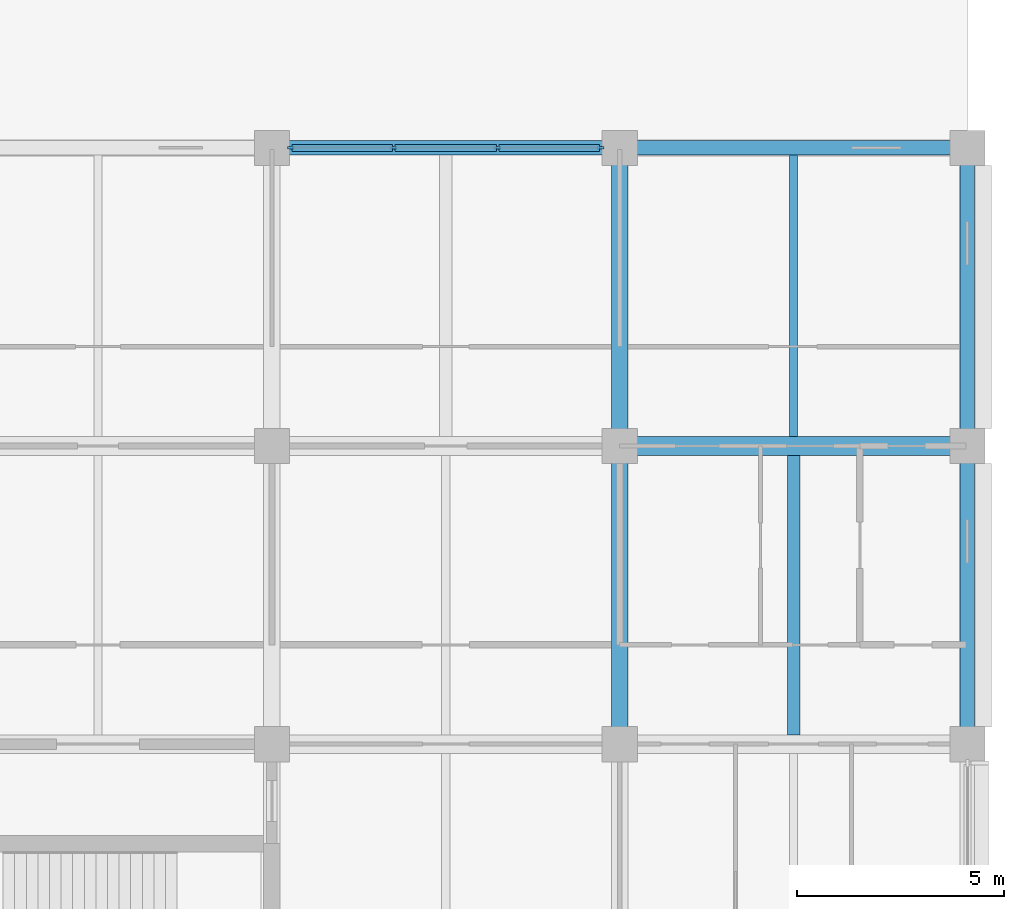
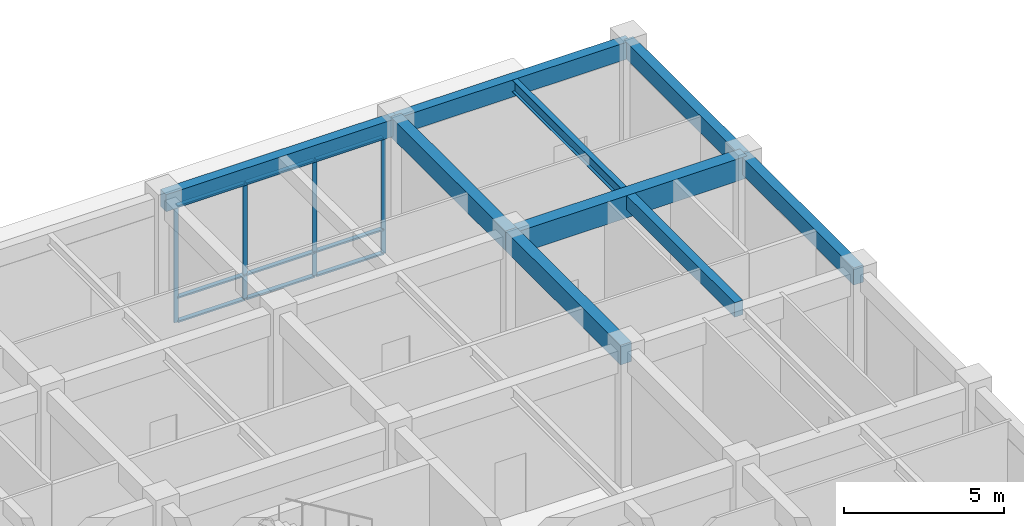
# One storey, part 32 of 73: 13 members, 9 beams, 1 element without a shape of its own.
"""IFC4 building model written with IfcOpenShell, lengths in metres."""

from ifc_helpers import new_model, si_unit, direction, frame, origin, origin_2d, place, context, subcontext, project, spatial, rectangle, i_section, extrude, material, layer, layer_set, material_profile, profile_set, type_object, element, aggregate, save


model = new_model("IFC4")

# Units and contexts
model_context = context("Model", 3, precision=1e-05, world=origin(), true_north=direction((0.0, 1.0)))
body_context = subcontext(model_context, "Body", "Model", "MODEL_VIEW")
ifc_project = project(units=[si_unit("LENGTHUNIT", "METRE"), si_unit("AREAUNIT", "SQUARE_METRE"), si_unit("VOLUMEUNIT", "CUBIC_METRE"), si_unit("PLANEANGLEUNIT", "RADIAN"), si_unit("MASSUNIT", "GRAM", prefix="KILO")], contexts=[model_context])

# Site, building, storey
site_placement = place(None, origin())
site = spatial("IfcSite", under=ifc_project, at=site_placement, CompositionType="ELEMENT")
building_placement = place(site_placement, origin())
building = spatial("IfcBuilding", under=site, at=building_placement, Name="Chengyuan Square Courthouse", CompositionType="ELEMENT")
storey_placement = place(building_placement, origin())
storey = spatial("IfcBuildingStorey", under=building, at=storey_placement, Name="L01", CompositionType="ELEMENT", Elevation=0.0)

# Beams
ifc_material_1 = material(Name="Concrete C40", Category="concrete")
ifc_material_profile_1 = material_profile(ifc_material_1, rectangle(XDim=0.449951171875, YDim=0.85009765625, at=origin_2d()), Name="RC-BM-450x850")
ifc_profile_set_1 = profile_set([ifc_material_profile_1], Name="Concrete C40")
beam_type_1 = type_object("IfcBeamType", Name="BM-01", PredefinedType="USERDEFINED", material=ifc_profile_set_1)
beam_1_placement = place(storey_placement, frame((159.60009765625, 100.800048828125, 4.695068359375), z_axis=(1.0, 0.0, 0.0), x_axis=(0.0, 1.0, 0.0)))
element("IfcBeam", 1, at=beam_1_placement, inside=storey, type_object=beam_type_1, Name="Girder BM-L01-1768", ObjectType="GIRDER", PredefinedType="USERDEFINED", context=body_context, shape_type="SweptSolid", body=[
    extrude(rectangle(XDim=0.449951171875, YDim=0.85009765625, at=origin_2d()), origin(), (0.0, 0.0, 1.0), 8.39990234375),
])
ifc_material_profile_2 = material_profile(ifc_material_1, rectangle(XDim=0.39990234375, YDim=0.75, at=origin_2d()), Name="RC-BM-400x750")
ifc_profile_set_2 = profile_set([ifc_material_profile_2], Name="Concrete C40")
beam_type_2 = type_object("IfcBeamType", Name="BM-02", PredefinedType="USERDEFINED", material=ifc_profile_set_2)
for number, where, z_axis, x_axis, name in (
    (2, (159.60009765625, 93.60009765625, 4.7451171875), (0.0, 1.0, 0.0), (-1.0, 0.0, 0.0), "Girder BM-L01-1940"),
    (3, (159.60009765625, 100.800048828125, 4.7451171875), (0.0, 1.0, 0.0), (-1.0, 0.0, 0.0), "Girder BM-L01-1941"),
):
    element("IfcBeam", number, at=place(storey_placement, frame(where, z_axis=z_axis, x_axis=x_axis)), inside=storey, type_object=beam_type_2, Name=name, ObjectType="GIRDER", PredefinedType="USERDEFINED", context=body_context, shape_type="SweptSolid", body=[
        extrude(rectangle(XDim=0.39990234375, YDim=0.75, at=origin_2d()), origin(), (0.0, 0.0, 1.0), 7.199951171875),
    ])
ifc_material_profile_3 = material_profile(ifc_material_1, rectangle(XDim=0.35009765625, YDim=0.64990234375, at=origin_2d()), Name="RC-BM-350x650")
ifc_profile_set_3 = profile_set([ifc_material_profile_3], Name="Concrete C40")
beam_type_3 = type_object("IfcBeamType", Name="BM-03", PredefinedType="SPANDREL", material=ifc_profile_set_3)
beam_2_placement = place(storey_placement, frame((151.199951171875, 108.0, 4.794921875), z_axis=(1.0, 0.0, 0.0), x_axis=(0.0, 1.0, 0.0)))
element("IfcBeam", 4, at=beam_2_placement, inside=storey, type_object=beam_type_3, Name="Girder BM-L01-1787", PredefinedType="SPANDREL", context=body_context, shape_type="SweptSolid", body=[
    extrude(rectangle(XDim=0.35009765625, YDim=0.64990234375, at=origin_2d()), origin(), (0.0, 0.0, 1.0), 8.400146484375),
])
beam_3_placement = place(storey_placement, frame((159.60009765625, 108.0, 4.794921875), z_axis=(1.0, 0.0, 0.0), x_axis=(0.0, 1.0, 0.0)))
element("IfcBeam", 5, at=beam_3_placement, inside=storey, type_object=beam_type_3, Name="Girder BM-L01-1788", PredefinedType="SPANDREL", context=body_context, shape_type="SweptSolid", body=[
    extrude(rectangle(XDim=0.35009765625, YDim=0.64990234375, at=origin_2d()), origin(), (0.0, 0.0, 1.0), 8.39990234375),
])
for number, where, z_axis, x_axis, name in (
    (6, (168.0, 93.60009765625, 4.794921875), (0.0, 1.0, 0.0), (-1.0, 0.0, 0.0), "Girder BM-L01-1955"),
    (7, (168.0, 100.800048828125, 4.794921875), (0.0, 1.0, 0.0), (-1.0, 0.0, 0.0), "Girder BM-L01-1956"),
):
    element("IfcBeam", number, at=place(storey_placement, frame(where, z_axis=z_axis, x_axis=x_axis)), inside=storey, type_object=beam_type_3, Name=name, PredefinedType="SPANDREL", context=body_context, shape_type="SweptSolid", body=[
        extrude(rectangle(XDim=0.35009765625, YDim=0.64990234375, at=origin_2d()), origin(), (0.0, 0.0, 1.0), 7.199951171875),
    ])
ifc_material_profile_4 = material_profile(ifc_material_1, rectangle(XDim=0.300048828125, YDim=0.550048828125, at=origin_2d()), Name="RC-BM-300x550")
ifc_profile_set_4 = profile_set([ifc_material_profile_4], Name="Concrete C40")
beam_type_4 = type_object("IfcBeamType", Name="BM-04", PredefinedType="BEAM", material=ifc_profile_set_4)
beam_4_placement = place(storey_placement, frame((163.800048828125, 93.824951171875, 4.844970703125), z_axis=(0.0, 1.0, 0.0), x_axis=(-1.0, 0.0, 0.0)))
element("IfcBeam", 8, at=beam_4_placement, inside=storey, type_object=beam_type_4, Name="Secondary Floor Beam SBM-L01-2069", PredefinedType="BEAM", context=body_context, shape_type="SweptSolid", body=[
    extrude(rectangle(XDim=0.300048828125, YDim=0.550048828125, at=origin_2d()), origin(), (0.0, 0.0, 1.0), 6.75),
])
ifc_material_2 = material(Name="Steel Q355B", Category="steel")
ifc_material_profile_5 = material_profile(ifc_material_2, i_section(OverallWidth=0.199951171875, OverallDepth=0.449951171875, WebThickness=0.009033203125, FlangeThickness=0.013916015625, at=origin_2d()), Name="HN 450x200x9x14")
ifc_profile_set_5 = profile_set([ifc_material_profile_5], Name="Steel Q355B")
beam_type_5 = type_object("IfcBeamType", Name="BM-06", PredefinedType="BEAM", material=ifc_profile_set_5)
beam_5_placement = place(storey_placement, frame((163.800048828125, 101.02490234375, 4.89501953125), z_axis=(0.0, 1.0, 0.0), x_axis=(-1.0, 0.0, 0.0)))
element("IfcBeam", 9, at=beam_5_placement, inside=storey, type_object=beam_type_5, Name="Secondary Floor Beam SBM-L01-2070", PredefinedType="BEAM", context=body_context, shape_type="SweptSolid", body=[
    extrude(i_section(OverallWidth=0.199951171875, OverallDepth=0.449951171875, WebThickness=0.009033203125, FlangeThickness=0.013916015625, at=origin_2d()), origin(), (0.0, 0.0, 1.0), 6.800048828125),
])

# Curtain wall, members
ifc_material_3 = material(Name="Unitised Aluminium and Triple Low-E Glass", Category="aluminium")
ifc_layer = layer(ifc_material_3, 0.159912109375)
ifc_layer_set = layer_set([ifc_layer], Name="Unitised Aluminium and Triple Low-E Glass")
curtain_wall_type = type_object("IfcCurtainWallType", Name="CW-01", PredefinedType="USERDEFINED", material=ifc_layer_set)
curtain_wall_placement = place(storey_placement, origin())
curtain_wall = element("IfcCurtainWall", 10, at=curtain_wall_placement, inside=storey, type_object=curtain_wall_type, Name="Unitised Curtain Wall CW-L01-034", ObjectType="UNITISED CURTAIN WALL", PredefinedType="USERDEFINED")
ifc_material_4 = material(Name="Aluminium 6063-T6 Frame", Category="aluminium")
ifc_material_profile_6 = material_profile(ifc_material_4, rectangle(XDim=0.06005859375, YDim=0.159912109375, at=origin_2d()), Name="CW-MUL-60x160")
ifc_profile_set_6 = profile_set([ifc_material_profile_6], Name="Aluminium 6063-T6 Frame")
member_type_1 = type_object("IfcMemberType", Name="CWM-01", PredefinedType="MULLION", material=ifc_profile_set_6)
member_1_placement = place(storey_placement, frame((151.655029296875, 108.0, 0.0), z_axis=(0.0, 0.0, 1.0), x_axis=(0.0, 1.0, 0.0)))
member_1 = element("IfcMember", 11, at=member_1_placement, type_object=member_type_1, Name="CW-01 mullion 1", PredefinedType="MULLION", context=body_context, shape_type="SweptSolid", body=[
    extrude(rectangle(XDim=0.06005859375, YDim=0.159912109375, at=origin_2d()), origin(), (0.0, 0.0, 1.0), 4.469970703125),
])
member_2_placement = place(storey_placement, frame((154.1416015625, 108.0, 0.0), z_axis=(0.0, 0.0, 1.0), x_axis=(0.0, 1.0, 0.0)))
member_2 = element("IfcMember", 12, at=member_2_placement, type_object=member_type_1, Name="CW-01 mullion 2", PredefinedType="MULLION", context=body_context, shape_type="SweptSolid", body=[
    extrude(rectangle(XDim=0.06005859375, YDim=0.159912109375, at=origin_2d()), origin(), (0.0, 0.0, 1.0), 4.469970703125),
])
member_3_placement = place(storey_placement, frame((156.658447265625, 108.0, 0.0), z_axis=(0.0, 0.0, 1.0), x_axis=(0.0, 1.0, 0.0)))
member_3 = element("IfcMember", 13, at=member_3_placement, type_object=member_type_1, Name="CW-01 mullion 3", PredefinedType="MULLION", context=body_context, shape_type="SweptSolid", body=[
    extrude(rectangle(XDim=0.06005859375, YDim=0.159912109375, at=origin_2d()), origin(), (0.0, 0.0, 1.0), 4.469970703125),
])
member_4_placement = place(storey_placement, frame((159.14501953125, 108.0, 0.0), z_axis=(0.0, 0.0, 1.0), x_axis=(0.0, 1.0, 0.0)))
member_4 = element("IfcMember", 14, at=member_4_placement, type_object=member_type_1, Name="CW-01 mullion 4", PredefinedType="MULLION", context=body_context, shape_type="SweptSolid", body=[
    extrude(rectangle(XDim=0.06005859375, YDim=0.159912109375, at=origin_2d()), origin(), (0.0, 0.0, 1.0), 4.469970703125),
])
ifc_material_profile_7 = material_profile(ifc_material_4, rectangle(XDim=0.159912109375, YDim=0.06005859375, at=origin_2d()), Name="CW-TRN-60x120")
ifc_profile_set_7 = profile_set([ifc_material_profile_7], Name="Aluminium 6063-T6 Frame")
member_type_2 = type_object("IfcMemberType", Name="CWT-01", PredefinedType="USERDEFINED", material=ifc_profile_set_7)
member_5_placement = place(storey_placement, frame((151.68505859375, 108.0, 0.030029296875), z_axis=(1.0, 0.0, 0.0), x_axis=(0.0, 1.0, 0.0)))
member_5 = element("IfcMember", 15, at=member_5_placement, type_object=member_type_2, Name="CW-01 transom 1.1", ObjectType="TRANSOM", PredefinedType="USERDEFINED", context=body_context, shape_type="SweptSolid", body=[
    extrude(rectangle(XDim=0.159912109375, YDim=0.06005859375, at=origin_2d()), origin(), (0.0, 0.0, 1.0), 2.426513671875),
])
member_6_placement = place(storey_placement, frame((151.68505859375, 108.0, 0.949951171875), z_axis=(1.0, 0.0, 0.0), x_axis=(0.0, 1.0, 0.0)))
member_6 = element("IfcMember", 16, at=member_6_placement, type_object=member_type_2, Name="CW-01 transom 1.2", ObjectType="TRANSOM", PredefinedType="USERDEFINED", context=body_context, shape_type="SweptSolid", body=[
    extrude(rectangle(XDim=0.159912109375, YDim=0.06005859375, at=origin_2d()), origin(), (0.0, 0.0, 1.0), 2.426513671875),
])
member_7_placement = place(storey_placement, frame((151.68505859375, 108.0, 4.43994140625), z_axis=(1.0, 0.0, 0.0), x_axis=(0.0, 1.0, 0.0)))
member_7 = element("IfcMember", 17, at=member_7_placement, type_object=member_type_2, Name="CW-01 transom 1.3", ObjectType="TRANSOM", PredefinedType="USERDEFINED", context=body_context, shape_type="SweptSolid", body=[
    extrude(rectangle(XDim=0.159912109375, YDim=0.06005859375, at=origin_2d()), origin(), (0.0, 0.0, 1.0), 2.426513671875),
])
member_8_placement = place(storey_placement, frame((154.171630859375, 108.0, 0.030029296875), z_axis=(1.0, 0.0, 0.0), x_axis=(0.0, 1.0, 0.0)))
member_8 = element("IfcMember", 18, at=member_8_placement, type_object=member_type_2, Name="CW-01 transom 2.1", ObjectType="TRANSOM", PredefinedType="USERDEFINED", context=body_context, shape_type="SweptSolid", body=[
    extrude(rectangle(XDim=0.159912109375, YDim=0.06005859375, at=origin_2d()), origin(), (0.0, 0.0, 1.0), 2.456787109375),
])
member_9_placement = place(storey_placement, frame((154.171630859375, 108.0, 0.949951171875), z_axis=(1.0, 0.0, 0.0), x_axis=(0.0, 1.0, 0.0)))
member_9 = element("IfcMember", 19, at=member_9_placement, type_object=member_type_2, Name="CW-01 transom 2.2", ObjectType="TRANSOM", PredefinedType="USERDEFINED", context=body_context, shape_type="SweptSolid", body=[
    extrude(rectangle(XDim=0.159912109375, YDim=0.06005859375, at=origin_2d()), origin(), (0.0, 0.0, 1.0), 2.456787109375),
])
member_10_placement = place(storey_placement, frame((154.171630859375, 108.0, 4.43994140625), z_axis=(1.0, 0.0, 0.0), x_axis=(0.0, 1.0, 0.0)))
member_10 = element("IfcMember", 20, at=member_10_placement, type_object=member_type_2, Name="CW-01 transom 2.3", ObjectType="TRANSOM", PredefinedType="USERDEFINED", context=body_context, shape_type="SweptSolid", body=[
    extrude(rectangle(XDim=0.159912109375, YDim=0.06005859375, at=origin_2d()), origin(), (0.0, 0.0, 1.0), 2.456787109375),
])
member_11_placement = place(storey_placement, frame((156.688232421875, 108.0, 0.030029296875), z_axis=(1.0, 0.0, 0.0), x_axis=(0.0, 1.0, 0.0)))
member_11 = element("IfcMember", 21, at=member_11_placement, type_object=member_type_2, Name="CW-01 transom 3.1", ObjectType="TRANSOM", PredefinedType="USERDEFINED", context=body_context, shape_type="SweptSolid", body=[
    extrude(rectangle(XDim=0.159912109375, YDim=0.06005859375, at=origin_2d()), origin(), (0.0, 0.0, 1.0), 2.4267578125),
])
member_12_placement = place(storey_placement, frame((156.688232421875, 108.0, 0.949951171875), z_axis=(1.0, 0.0, 0.0), x_axis=(0.0, 1.0, 0.0)))
member_12 = element("IfcMember", 22, at=member_12_placement, type_object=member_type_2, Name="CW-01 transom 3.2", ObjectType="TRANSOM", PredefinedType="USERDEFINED", context=body_context, shape_type="SweptSolid", body=[
    extrude(rectangle(XDim=0.159912109375, YDim=0.06005859375, at=origin_2d()), origin(), (0.0, 0.0, 1.0), 2.4267578125),
])
member_13_placement = place(storey_placement, frame((156.688232421875, 108.0, 4.43994140625), z_axis=(1.0, 0.0, 0.0), x_axis=(0.0, 1.0, 0.0)))
member_13 = element("IfcMember", 23, at=member_13_placement, type_object=member_type_2, Name="CW-01 transom 3.3", ObjectType="TRANSOM", PredefinedType="USERDEFINED", context=body_context, shape_type="SweptSolid", body=[
    extrude(rectangle(XDim=0.159912109375, YDim=0.06005859375, at=origin_2d()), origin(), (0.0, 0.0, 1.0), 2.4267578125),
])
aggregate(curtain_wall, [member_1, member_2, member_3, member_4, member_5, member_6, member_7, member_8, member_9, member_10, member_11, member_12, member_13])

save(model, "model.ifc")
